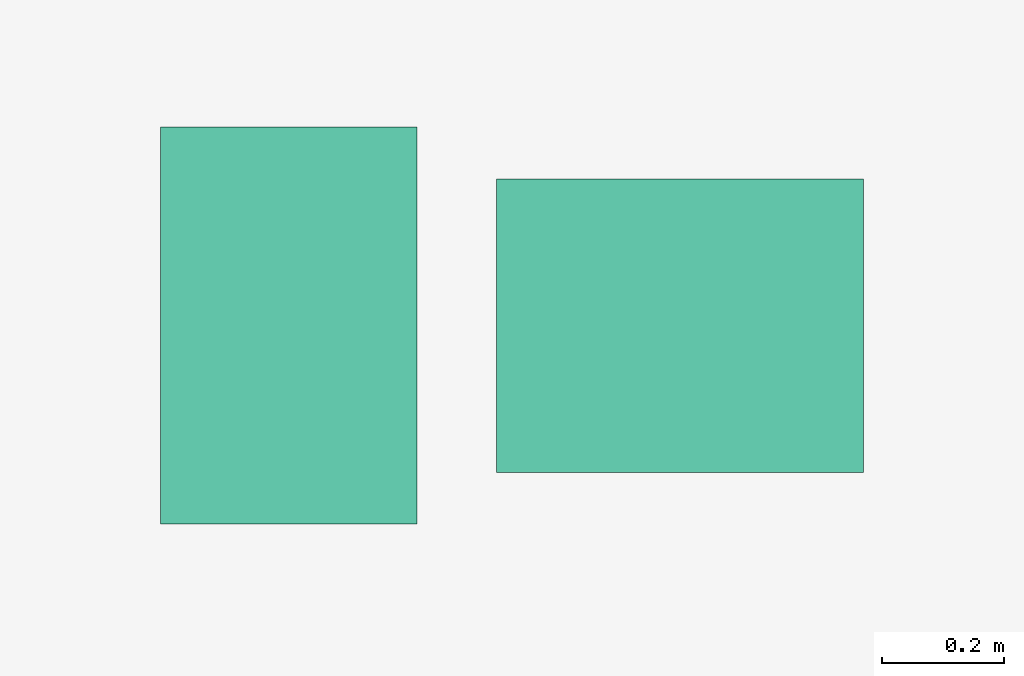
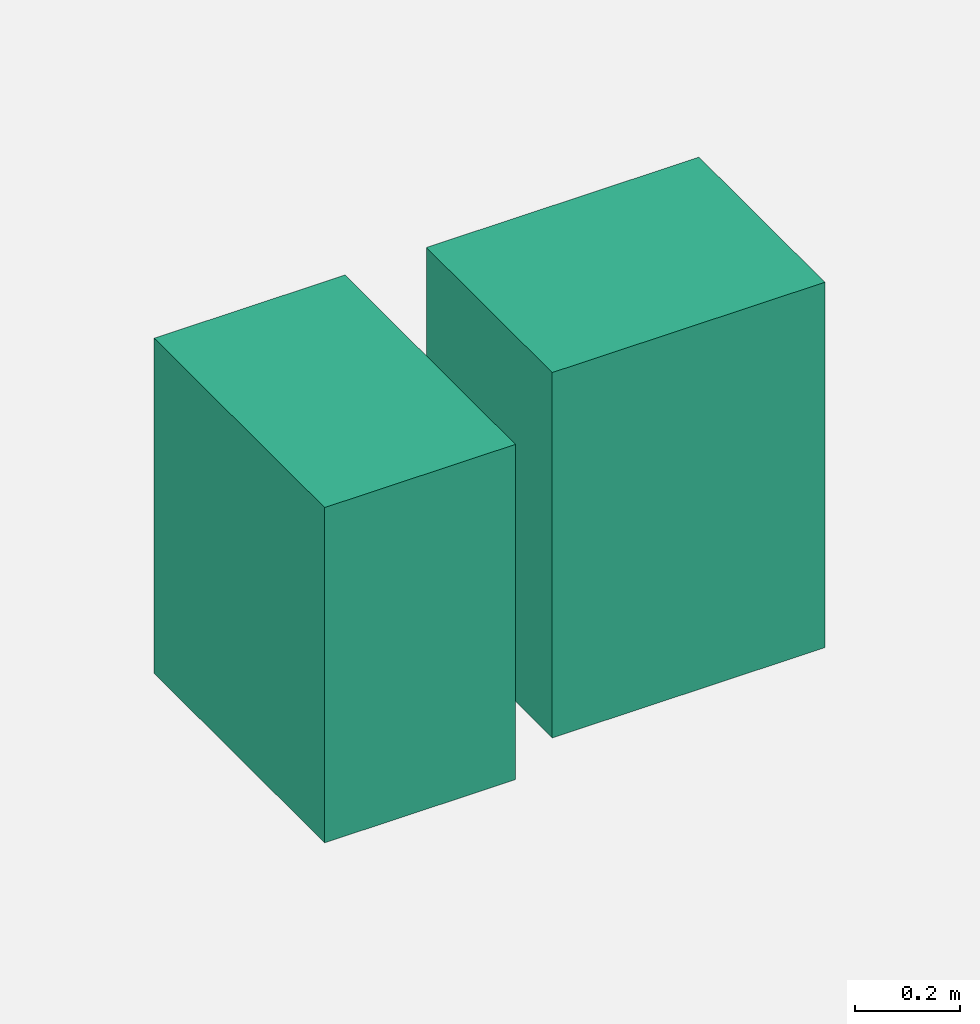
# One storey, part 9 of 9: 2 sanitary terminals.
"""IFC4 building model written with IfcOpenShell, lengths in metres."""

import ifcopenshell
import ifcopenshell.guid

model = None  # the IFC model being written
_history = None  # IfcOwnerHistory: only IFC2X3 demands one
_inside = {}  # id of a spatial element -> (the spatial element, [elements in it])
_under = {}  # id of a project, library or spatial element -> (it, [spatial elements below it])
_declared = {}  # id of a project -> (the project, [libraries it declares])
_typed = {}  # id of a type object -> (the type object, [elements of that type])
_made_of = {}  # id of a material, layer set ... -> (it, [elements and type objects made of it])


def new_model(schema):
    """Start an empty IFC model of exactly this schema.

    Asked for "IFC4X3", IfcOpenShell would pick the latest addendum, in which some entities
    have other attributes; the version numbers below select the first issue.
    IFC2X3 requires an IfcOwnerHistory on every rooted entity: one is made here for all.
    """
    global model, _history
    if schema == "IFC4X3":
        model = ifcopenshell.file(schema_version=(4, 3, 0, 0))
    else:
        model = ifcopenshell.file(schema=schema)
    _inside.clear()
    _under.clear()
    _declared.clear()
    _typed.clear()
    _made_of.clear()
    _history = None
    if model.schema == "IFC2X3":
        org = make("IfcOrganization", Name="unknown")
        user = make(
            "IfcPersonAndOrganization",
            ThePerson=make("IfcPerson", FamilyName="unknown"),
            TheOrganization=org,
        )
        app = make(
            "IfcApplication",
            ApplicationDeveloper=org,
            Version="unknown",
            ApplicationFullName="unknown",
            ApplicationIdentifier="unknown",
        )
        _history = make(
            "IfcOwnerHistory",
            OwningUser=user,
            OwningApplication=app,
            ChangeAction="ADDED",
            CreationDate=0,
        )
    return model


def make(cls, **values):
    """One entity of the class cls with the attributes given. An attribute that is None is left unset."""
    return model.create_entity(
        cls, **{name: value for name, value in values.items() if value is not None}
    )


def rooted(cls, **values):
    """An entity with a GlobalId (a new one), such as an element, a storey or a relation."""
    return make(cls, GlobalId=ifcopenshell.guid.new(), OwnerHistory=_history, **values)


def si_unit(unit_type, name, prefix=None):
    """IfcSIUnit, for example si_unit("LENGTHUNIT", "METRE", prefix="MILLI")."""
    return make("IfcSIUnit", UnitType=unit_type, Prefix=prefix, Name=name)


def assignment(units):
    """IfcUnitAssignment: the units of a project."""
    return None if units is None else make("IfcUnitAssignment", Units=units)


def point(xyz):
    """IfcCartesianPoint."""
    return None if xyz is None else make("IfcCartesianPoint", Coordinates=xyz)


def direction(xyz):
    """IfcDirection."""
    return None if xyz is None else make("IfcDirection", DirectionRatios=xyz)


def frame(location, z_axis=None, x_axis=None):
    """IfcAxis2Placement3D, a coordinate frame: its origin and axes. An axis left out is left unset."""
    return make(
        "IfcAxis2Placement3D",
        Location=point(location),
        Axis=direction(z_axis),
        RefDirection=direction(x_axis),
    )


def frame_2d(location, x_axis=None):
    """IfcAxis2Placement2D, a coordinate frame in the plane: its origin and x axis."""
    return make(
        "IfcAxis2Placement2D", Location=point(location), RefDirection=direction(x_axis)
    )


def origin():
    """The frame at (0, 0, 0) with its axes left unset."""
    return frame((0.0, 0.0, 0.0))


def origin_2d():
    """The frame at (0, 0) in the plane with its x axis left unset."""
    return frame_2d((0.0, 0.0))


def place(relative_to, where):
    """IfcLocalPlacement: puts the frame where relative to a parent placement (None: the world)."""
    return make(
        "IfcLocalPlacement", PlacementRelTo=relative_to, RelativePlacement=where
    )


def context(
    kind, dimensions, precision=None, world=None, true_north=None, identifier=None
):
    """IfcGeometricRepresentationContext, for example the 3D "Model" context."""
    return make(
        "IfcGeometricRepresentationContext",
        ContextIdentifier=identifier,
        ContextType=kind,
        CoordinateSpaceDimension=dimensions,
        Precision=precision,
        WorldCoordinateSystem=world,
        TrueNorth=true_north,
    )


def subcontext(parent, identifier, kind, view, scale=None):
    """IfcGeometricRepresentationSubContext, for example "Body" below "Model"."""
    return make(
        "IfcGeometricRepresentationSubContext",
        ContextIdentifier=identifier,
        ContextType=kind,
        ParentContext=parent,
        TargetScale=scale,
        TargetView=view,
    )


def project(units=None, contexts=None):
    """IfcProject with its units and contexts."""
    return rooted(
        "IfcProject",
        Name="project",
        RepresentationContexts=contexts,
        UnitsInContext=assignment(units),
    )


def spatial(cls, under=None, at=None, **own):
    """A site, building, storey or space (cls), placed at a placement, below another one or the project."""
    s = rooted(cls, ObjectPlacement=at, **own)
    if under is not None:
        _under.setdefault(under.id(), (under, []))[1].append(s)
    return s


def profile(cls, at=None, kind="AREA", **sizes):
    """A parametric profile (cls). Its sizes go by their IFC names, for example OverallWidth=200.0."""
    return make(cls, ProfileType=kind, Position=at, **sizes)


def rectangle(**sizes):
    """IfcRectangleProfileDef."""
    return profile("IfcRectangleProfileDef", **sizes)


def extrude(swept, where, along, depth):
    """IfcExtrudedAreaSolid: the profile swept, set in the frame where, extruded along a direction by depth."""
    return make(
        "IfcExtrudedAreaSolid",
        SweptArea=swept,
        Position=where,
        ExtrudedDirection=direction(along),
        Depth=depth,
    )


def shape(context_of_items, identifier, shape_type, items):
    """IfcShapeRepresentation: the items that make up one representation, for example the "Body"."""
    return make(
        "IfcShapeRepresentation",
        ContextOfItems=context_of_items,
        RepresentationIdentifier=identifier,
        RepresentationType=shape_type,
        Items=items,
    )


def material(Name=None, Category=None):
    """IfcMaterial."""
    return make("IfcMaterial", Name=Name, Category=Category)


def made_of(thing, what):
    """Note that an element or type object is made of a material, layer set ...; save() writes the relation."""
    if what is not None:
        _made_of.setdefault(what.id(), (what, []))[1].append(thing)
    return thing


def type_object(cls, material=None, **own):
    """A type object (cls), such as IfcWallType, which elements share."""
    return made_of(rooted(cls, **own), material)


def element(
    cls,
    number,
    at=None,
    inside=None,
    cuts=None,
    type_object=None,
    material=None,
    context=None,
    identifier="Body",
    shape_type=None,
    held_by="IfcProductDefinitionShape",
    body=None,
    shapes=None,
    **own,
):
    """One element of the class cls, such as IfcWall. Its Tag is "e" and its number.

    at: its placement. inside: the storey or other place that contains it. cuts: it is an
    opening in that element (IfcRelVoidsElement). A single representation is given by context,
    identifier, shape_type and body (its items); several are given by shapes. held_by: the class
    of the entity that holds the representations. save() writes the other relations.
    """
    e = rooted(cls, Tag="e%d" % number, ObjectPlacement=at, **own)
    if body is not None:
        shapes = [shape(context, identifier, shape_type, body)]
    if shapes is not None:
        e.Representation = make(held_by, Representations=shapes)
    if inside is not None:
        _inside.setdefault(inside.id(), (inside, []))[1].append(e)
    if cuts is not None:
        rooted(
            "IfcRelVoidsElement", RelatingBuildingElement=cuts, RelatedOpeningElement=e
        )
    if type_object is not None:
        _typed.setdefault(type_object.id(), (type_object, []))[1].append(e)
    return made_of(e, material)


def aggregate(whole, parts):
    """IfcRelAggregates: a whole, such as a stair, and the parts it consists of."""
    return rooted("IfcRelAggregates", RelatingObject=whole, RelatedObjects=parts)


def save(model, path):
    """Write the relations noted so far, then the file.

    IfcRelAggregates (storeys below a building ...), IfcRelContainedInSpatialStructure (elements
    in a storey), IfcRelDefinesByType, IfcRelAssociatesMaterial and IfcRelDeclares: one each for
    every whole, place, type object, material and project.
    """
    for whole, parts in _under.values():
        aggregate(whole, parts)
    for where, things in _inside.values():
        rooted(
            "IfcRelContainedInSpatialStructure",
            RelatedElements=things,
            RelatingStructure=where,
        )
    for kind, things in _typed.values():
        rooted("IfcRelDefinesByType", RelatedObjects=things, RelatingType=kind)
    for what, things in _made_of.values():
        rooted("IfcRelAssociatesMaterial", RelatedObjects=things, RelatingMaterial=what)
    for by, libraries in _declared.values():
        rooted("IfcRelDeclares", RelatingContext=by, RelatedDefinitions=libraries)
    model.write(path)


model = new_model("IFC4")

# Units and contexts
model_context = context("Model", 3, precision=1e-05, world=origin(), true_north=direction((0.0, 1.0)))
body_context = subcontext(model_context, "Body", "Model", "MODEL_VIEW")
ifc_project = project(units=[si_unit("LENGTHUNIT", "METRE"), si_unit("AREAUNIT", "SQUARE_METRE"), si_unit("VOLUMEUNIT", "CUBIC_METRE"), si_unit("PLANEANGLEUNIT", "RADIAN"), si_unit("MASSUNIT", "GRAM", prefix="KILO")], contexts=[model_context])

# Site, building, storey
site_placement = place(None, origin())
site = spatial("IfcSite", under=ifc_project, at=site_placement, CompositionType="ELEMENT")
building_placement = place(site_placement, origin())
building = spatial("IfcBuilding", under=site, at=building_placement, Name="Solmavex Isthmus Hotel", CompositionType="ELEMENT")
storey_placement = place(building_placement, frame((0.0, 0.0, -5.199951171875)))
storey = spatial("IfcBuildingStorey", under=building, at=storey_placement, Name="B01", CompositionType="ELEMENT", Elevation=-5.199951171875)

# Sanitary terminals
ifc_material = material(Name="Vitreous china ceramic", Category="ceramic")
sanitary_terminal_type_1 = type_object("IfcSanitaryTerminalType", Name="SAN-BASIN", PredefinedType="WASHHANDBASIN", material=ifc_material)
sanitary_terminal_1_placement = place(storey_placement, frame((24.169921875, -6.72509765625, 0.0), z_axis=(0.0, 0.0, 1.0), x_axis=(1.0, 0.0, 0.0)))
element("IfcSanitaryTerminal", 1, at=sanitary_terminal_1_placement, inside=storey, type_object=sanitary_terminal_type_1, Name="Vanity Washbasin B01-2", PredefinedType="WASHHANDBASIN", context=body_context, shape_type="SweptSolid", body=[
    extrude(rectangle(XDim=0.60009765625, YDim=0.47998046875, at=origin_2d()), origin(), (0.0, 0.0, 1.0), 0.85009765625),
])
sanitary_terminal_type_2 = type_object("IfcSanitaryTerminalType", Name="SAN-WC-SUITE", PredefinedType="TOILETPAN", material=ifc_material)
sanitary_terminal_2_placement = place(storey_placement, frame((23.530029296875, -6.72509765625, 0.0), z_axis=(0.0, 0.0, 1.0), x_axis=(1.0, 0.0, 0.0)))
element("IfcSanitaryTerminal", 2, at=sanitary_terminal_2_placement, inside=storey, type_object=sanitary_terminal_type_2, Name="Water Closet B01-2", PredefinedType="TOILETPAN", context=body_context, shape_type="SweptSolid", body=[
    extrude(rectangle(XDim=0.419921875, YDim=0.64990234375, at=origin_2d()), origin(), (0.0, 0.0, 1.0), 0.780029296875),
])

save(model, "model.ifc")
